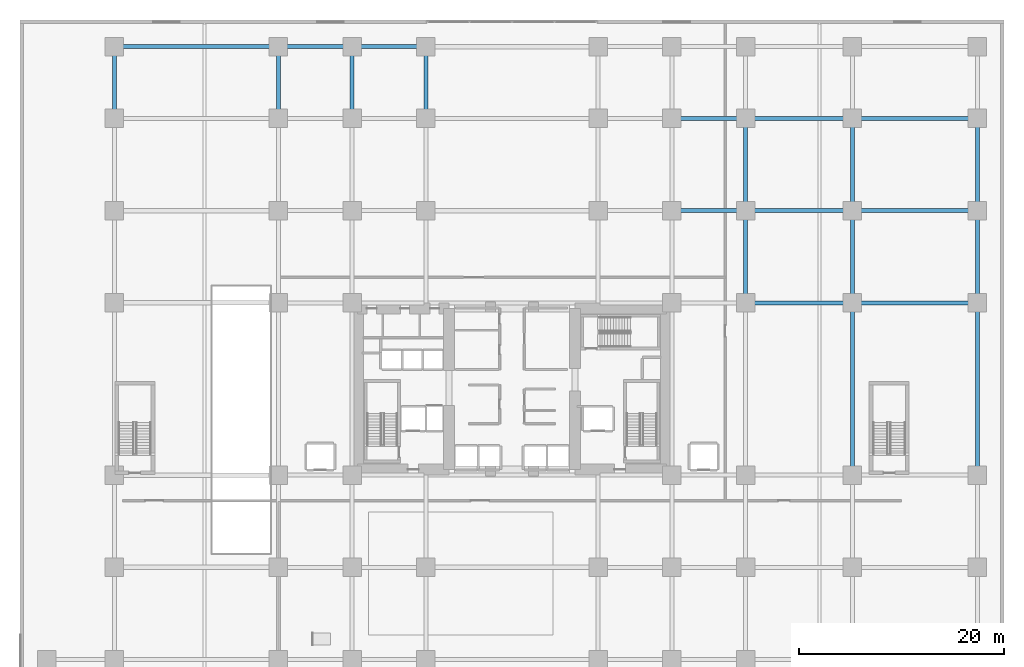
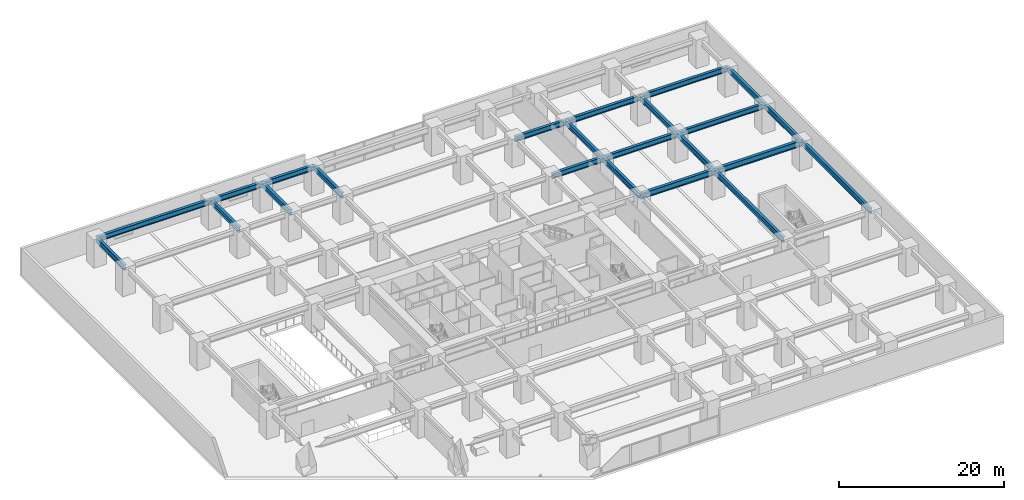
# One storey, part 6 of 22: 23 beams.
"""IFC4 building model written with IfcOpenShell, lengths in metres."""

from ifc_helpers import new_model, si_unit, direction, frame, origin, origin_2d, place, context, subcontext, project, spatial, i_section, extrude, material, material_profile, profile_set, type_object, element, save


model = new_model("IFC4")

# Units and contexts
model_context = context("Model", 3, precision=1e-05, world=origin(), true_north=direction((0.0, 1.0)))
body_context = subcontext(model_context, "Body", "Model", "MODEL_VIEW")
ifc_project = project(units=[si_unit("LENGTHUNIT", "METRE"), si_unit("AREAUNIT", "SQUARE_METRE"), si_unit("VOLUMEUNIT", "CUBIC_METRE"), si_unit("PLANEANGLEUNIT", "RADIAN"), si_unit("MASSUNIT", "GRAM", prefix="KILO")], contexts=[model_context])

# Site, building, storey
site_placement = place(None, origin())
site = spatial("IfcSite", under=ifc_project, at=site_placement, CompositionType="ELEMENT")
building_placement = place(site_placement, origin())
building = spatial("IfcBuilding", under=site, at=building_placement, Name="Kiyonajd Concourse Tower", CompositionType="ELEMENT")
storey_placement = place(building_placement, frame((0.0, 0.0, 8.699951171875)))
storey = spatial("IfcBuildingStorey", under=building, at=storey_placement, Name="L03", CompositionType="ELEMENT", Elevation=8.699951171875)

# Beams
ifc_material = material(Name="Steel ASTM A992 Grade 50", Category="steel")
ifc_material_profile_1 = material_profile(ifc_material, i_section(OverallWidth=0.381103515625, OverallDepth=0.77294921875, WebThickness=0.0166015625, FlangeThickness=0.027099609375, at=origin_2d()), Name="W760X257")
ifc_profile_set_1 = profile_set([ifc_material_profile_1], Name="Steel ASTM A992 Grade 50")
beam_type_1 = type_object("IfcBeamType", Name="BM-POD-760", PredefinedType="BEAM", material=ifc_profile_set_1)
beam_1_placement = place(storey_placement, frame((63.60009765625, 53.39990234375, 3.49365234375), z_axis=(1.0, 0.0, 0.0), x_axis=(0.0, 1.0, 0.0)))
element("IfcBeam", 1, at=beam_1_placement, inside=storey, type_object=beam_type_1, Name="L03 Podium Primary Beam", PredefinedType="BEAM", context=body_context, shape_type="SweptSolid", body=[
    extrude(i_section(OverallWidth=0.381103515625, OverallDepth=0.77294921875, WebThickness=0.0166015625, FlangeThickness=0.027099609375, at=origin_2d()), origin(), (0.0, 0.0, 1.0), 7.199951171875),
])
beam_2_placement = place(storey_placement, frame((70.800048828125, 53.39990234375, 3.49365234375), z_axis=(1.0, 0.0, 0.0), x_axis=(0.0, 1.0, 0.0)))
element("IfcBeam", 2, at=beam_2_placement, inside=storey, type_object=beam_type_1, Name="L03 Podium Primary Beam", PredefinedType="BEAM", context=body_context, shape_type="SweptSolid", body=[
    extrude(i_section(OverallWidth=0.381103515625, OverallDepth=0.77294921875, WebThickness=0.0166015625, FlangeThickness=0.027099609375, at=origin_2d()), origin(), (0.0, 0.0, 1.0), 10.39990234375),
])
beam_3_placement = place(storey_placement, frame((81.199951171875, 53.39990234375, 3.49365234375), z_axis=(1.0, 0.0, 0.0), x_axis=(0.0, 1.0, 0.0)))
element("IfcBeam", 3, at=beam_3_placement, inside=storey, type_object=beam_type_1, Name="L03 Podium Primary Beam", PredefinedType="BEAM", context=body_context, shape_type="SweptSolid", body=[
    extrude(i_section(OverallWidth=0.381103515625, OverallDepth=0.77294921875, WebThickness=0.0166015625, FlangeThickness=0.027099609375, at=origin_2d()), origin(), (0.0, 0.0, 1.0), 12.199951171875),
])
beam_4_placement = place(storey_placement, frame((63.60009765625, 62.39990234375, 3.49365234375), z_axis=(1.0, 0.0, 0.0), x_axis=(0.0, 1.0, 0.0)))
element("IfcBeam", 4, at=beam_4_placement, inside=storey, type_object=beam_type_1, Name="L03 Podium Primary Beam", PredefinedType="BEAM", context=body_context, shape_type="SweptSolid", body=[
    extrude(i_section(OverallWidth=0.381103515625, OverallDepth=0.77294921875, WebThickness=0.0166015625, FlangeThickness=0.027099609375, at=origin_2d()), origin(), (0.0, 0.0, 1.0), 7.199951171875),
])
beam_5_placement = place(storey_placement, frame((70.800048828125, 62.39990234375, 3.49365234375), z_axis=(1.0, 0.0, 0.0), x_axis=(0.0, 1.0, 0.0)))
element("IfcBeam", 5, at=beam_5_placement, inside=storey, type_object=beam_type_1, Name="L03 Podium Primary Beam", PredefinedType="BEAM", context=body_context, shape_type="SweptSolid", body=[
    extrude(i_section(OverallWidth=0.381103515625, OverallDepth=0.77294921875, WebThickness=0.0166015625, FlangeThickness=0.027099609375, at=origin_2d()), origin(), (0.0, 0.0, 1.0), 10.39990234375),
])
beam_6_placement = place(storey_placement, frame((81.199951171875, 62.39990234375, 3.49365234375), z_axis=(1.0, 0.0, 0.0), x_axis=(0.0, 1.0, 0.0)))
element("IfcBeam", 6, at=beam_6_placement, inside=storey, type_object=beam_type_1, Name="L03 Podium Primary Beam", PredefinedType="BEAM", context=body_context, shape_type="SweptSolid", body=[
    extrude(i_section(OverallWidth=0.381103515625, OverallDepth=0.77294921875, WebThickness=0.0166015625, FlangeThickness=0.027099609375, at=origin_2d()), origin(), (0.0, 0.0, 1.0), 12.199951171875),
])
beam_7_placement = place(storey_placement, frame((9.199951171875, 69.39990234375, 3.49365234375), z_axis=(1.0, 0.0, 0.0), x_axis=(0.0, 1.0, 0.0)))
element("IfcBeam", 7, at=beam_7_placement, inside=storey, type_object=beam_type_1, Name="L03 Podium Primary Beam", PredefinedType="BEAM", context=body_context, shape_type="SweptSolid", body=[
    extrude(i_section(OverallWidth=0.381103515625, OverallDepth=0.77294921875, WebThickness=0.0166015625, FlangeThickness=0.027099609375, at=origin_2d()), origin(), (0.0, 0.0, 1.0), 16.0),
])
beam_8_placement = place(storey_placement, frame((25.199951171875, 69.39990234375, 3.49365234375), z_axis=(1.0, 0.0, 0.0), x_axis=(0.0, 1.0, 0.0)))
element("IfcBeam", 8, at=beam_8_placement, inside=storey, type_object=beam_type_1, Name="L03 Podium Primary Beam", PredefinedType="BEAM", context=body_context, shape_type="SweptSolid", body=[
    extrude(i_section(OverallWidth=0.381103515625, OverallDepth=0.77294921875, WebThickness=0.0166015625, FlangeThickness=0.027099609375, at=origin_2d()), origin(), (0.0, 0.0, 1.0), 7.199951171875),
])
beam_9_placement = place(storey_placement, frame((32.39990234375, 69.39990234375, 3.49365234375), z_axis=(1.0, 0.0, 0.0), x_axis=(0.0, 1.0, 0.0)))
element("IfcBeam", 9, at=beam_9_placement, inside=storey, type_object=beam_type_1, Name="L03 Podium Primary Beam", PredefinedType="BEAM", context=body_context, shape_type="SweptSolid", body=[
    extrude(i_section(OverallWidth=0.381103515625, OverallDepth=0.77294921875, WebThickness=0.0166015625, FlangeThickness=0.027099609375, at=origin_2d()), origin(), (0.0, 0.0, 1.0), 7.2001953125),
])
for number, where, z_axis, x_axis, name in (
    (10, (9.199951171875, 62.39990234375, 3.49365234375), (0.0, 1.0, 0.0), (-1.0, 0.0, 0.0), "L03 Podium North South Beam"),
    (11, (25.199951171875, 62.39990234375, 3.49365234375), (0.0, 1.0, 0.0), (-1.0, 0.0, 0.0), "L03 Podium North South Beam"),
    (12, (32.39990234375, 62.39990234375, 3.49365234375), (0.0, 1.0, 0.0), (-1.0, 0.0, 0.0), "L03 Podium North South Beam"),
    (13, (39.60009765625, 62.39990234375, 3.49365234375), (0.0, 1.0, 0.0), (-1.0, 0.0, 0.0), "L03 Podium North South Beam"),
):
    element("IfcBeam", number, at=place(storey_placement, frame(where, z_axis=z_axis, x_axis=x_axis)), inside=storey, type_object=beam_type_1, Name=name, PredefinedType="BEAM", context=body_context, shape_type="SweptSolid", body=[
        extrude(i_section(OverallWidth=0.381103515625, OverallDepth=0.77294921875, WebThickness=0.0166015625, FlangeThickness=0.027099609375, at=origin_2d()), origin(), (0.0, 0.0, 1.0), 7.0),
    ])
for number, where, z_axis, x_axis, name in (
    (14, (70.800048828125, 44.39990234375, 3.49365234375), (0.0, 1.0, 0.0), (-1.0, 0.0, 0.0), "L03 Podium North South Beam"),
    (15, (70.800048828125, 53.39990234375, 3.49365234375), (0.0, 1.0, 0.0), (-1.0, 0.0, 0.0), "L03 Podium North South Beam"),
):
    element("IfcBeam", number, at=place(storey_placement, frame(where, z_axis=z_axis, x_axis=x_axis)), inside=storey, type_object=beam_type_1, Name=name, PredefinedType="BEAM", context=body_context, shape_type="SweptSolid", body=[
        extrude(i_section(OverallWidth=0.381103515625, OverallDepth=0.77294921875, WebThickness=0.0166015625, FlangeThickness=0.027099609375, at=origin_2d()), origin(), (0.0, 0.0, 1.0), 9.0),
    ])
beam_10_placement = place(storey_placement, frame((81.199951171875, 27.60009765625, 3.49365234375), z_axis=(0.0, 1.0, 0.0), x_axis=(-1.0, 0.0, 0.0)))
element("IfcBeam", 16, at=beam_10_placement, inside=storey, type_object=beam_type_1, Name="L03 Podium North South Beam", PredefinedType="BEAM", context=body_context, shape_type="SweptSolid", body=[
    extrude(i_section(OverallWidth=0.381103515625, OverallDepth=0.77294921875, WebThickness=0.0166015625, FlangeThickness=0.027099609375, at=origin_2d()), origin(), (0.0, 0.0, 1.0), 16.7998046875),
])
for number, where, z_axis, x_axis, name in (
    (17, (81.199951171875, 44.39990234375, 3.49365234375), (0.0, 1.0, 0.0), (-1.0, 0.0, 0.0), "L03 Podium North South Beam"),
    (18, (81.199951171875, 53.39990234375, 3.49365234375), (0.0, 1.0, 0.0), (-1.0, 0.0, 0.0), "L03 Podium North South Beam"),
):
    element("IfcBeam", number, at=place(storey_placement, frame(where, z_axis=z_axis, x_axis=x_axis)), inside=storey, type_object=beam_type_1, Name=name, PredefinedType="BEAM", context=body_context, shape_type="SweptSolid", body=[
        extrude(i_section(OverallWidth=0.381103515625, OverallDepth=0.77294921875, WebThickness=0.0166015625, FlangeThickness=0.027099609375, at=origin_2d()), origin(), (0.0, 0.0, 1.0), 9.0),
    ])
beam_11_placement = place(storey_placement, frame((93.39990234375, 27.60009765625, 3.49365234375), z_axis=(0.0, 1.0, 0.0), x_axis=(-1.0, 0.0, 0.0)))
element("IfcBeam", 19, at=beam_11_placement, inside=storey, type_object=beam_type_1, Name="L03 Podium North South Beam", PredefinedType="BEAM", context=body_context, shape_type="SweptSolid", body=[
    extrude(i_section(OverallWidth=0.381103515625, OverallDepth=0.77294921875, WebThickness=0.0166015625, FlangeThickness=0.027099609375, at=origin_2d()), origin(), (0.0, 0.0, 1.0), 16.7998046875),
])
for number, where, z_axis, x_axis, name in (
    (20, (93.39990234375, 44.39990234375, 3.49365234375), (0.0, 1.0, 0.0), (-1.0, 0.0, 0.0), "L03 Podium North South Beam"),
    (21, (93.39990234375, 53.39990234375, 3.49365234375), (0.0, 1.0, 0.0), (-1.0, 0.0, 0.0), "L03 Podium North South Beam"),
):
    element("IfcBeam", number, at=place(storey_placement, frame(where, z_axis=z_axis, x_axis=x_axis)), inside=storey, type_object=beam_type_1, Name=name, PredefinedType="BEAM", context=body_context, shape_type="SweptSolid", body=[
        extrude(i_section(OverallWidth=0.381103515625, OverallDepth=0.77294921875, WebThickness=0.0166015625, FlangeThickness=0.027099609375, at=origin_2d()), origin(), (0.0, 0.0, 1.0), 9.0),
    ])
ifc_material_profile_2 = material_profile(ifc_material, i_section(OverallWidth=0.39990234375, OverallDepth=0.85498046875, WebThickness=0.018310546875, FlangeThickness=0.029296875, at=origin_2d()), Name="W840X299")
ifc_profile_set_2 = profile_set([ifc_material_profile_2], Name="Steel ASTM A992 Grade 50")
beam_type_2 = type_object("IfcBeamType", Name="BM-POD-840", PredefinedType="BEAM", material=ifc_profile_set_2)
beam_12_placement = place(storey_placement, frame((70.800048828125, 44.39990234375, 3.45263671875), z_axis=(1.0, 0.0, 0.0), x_axis=(0.0, 1.0, 0.0)))
element("IfcBeam", 22, at=beam_12_placement, inside=storey, type_object=beam_type_2, Name="L03 Podium Primary Beam", PredefinedType="BEAM", context=body_context, shape_type="SweptSolid", body=[
    extrude(i_section(OverallWidth=0.39990234375, OverallDepth=0.85498046875, WebThickness=0.018310546875, FlangeThickness=0.029296875, at=origin_2d()), origin(), (0.0, 0.0, 1.0), 10.39990234375),
])
beam_13_placement = place(storey_placement, frame((81.199951171875, 44.39990234375, 3.45263671875), z_axis=(1.0, 0.0, 0.0), x_axis=(0.0, 1.0, 0.0)))
element("IfcBeam", 23, at=beam_13_placement, inside=storey, type_object=beam_type_2, Name="L03 Podium Primary Beam", PredefinedType="BEAM", context=body_context, shape_type="SweptSolid", body=[
    extrude(i_section(OverallWidth=0.39990234375, OverallDepth=0.85498046875, WebThickness=0.018310546875, FlangeThickness=0.029296875, at=origin_2d()), origin(), (0.0, 0.0, 1.0), 12.199951171875),
])

save(model, "model.ifc")
